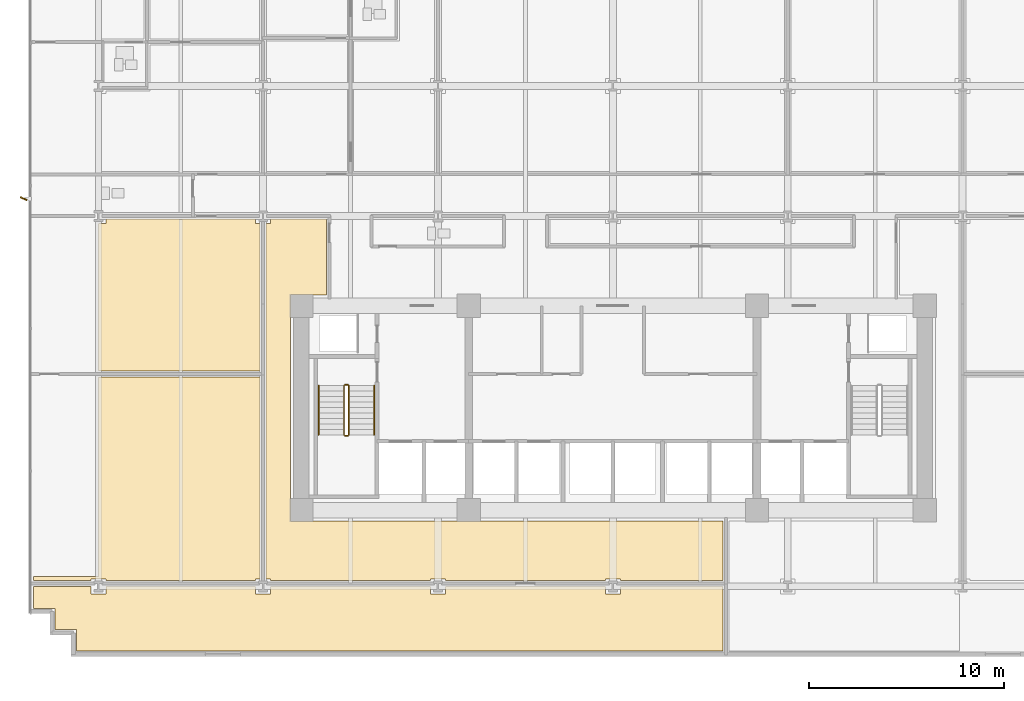
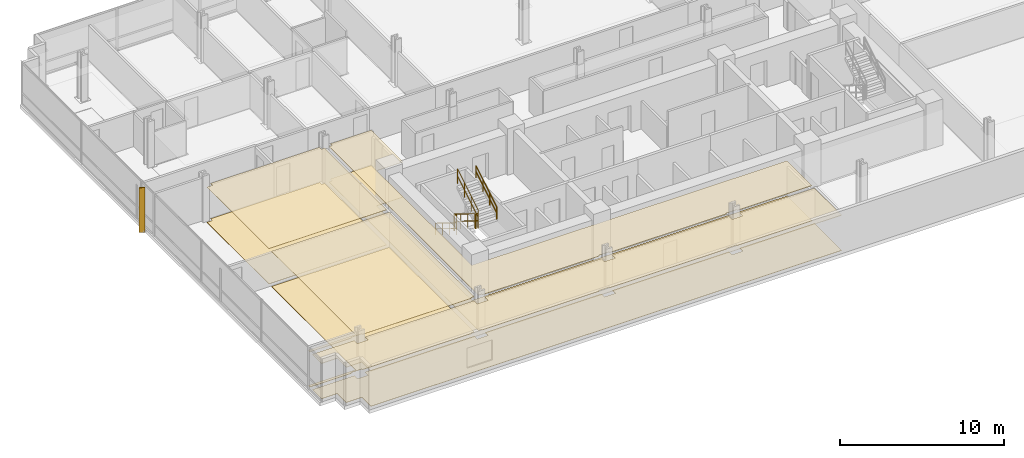
# One storey, part 16 of 21: 8 coverings, 6 railings, 1 shading device.
"""IFC4 building model written with IfcOpenShell, lengths in metres."""

import ifcopenshell
import ifcopenshell.guid

model = None  # the IFC model being written
_history = None  # IfcOwnerHistory: only IFC2X3 demands one
_inside = {}  # id of a spatial element -> (the spatial element, [elements in it])
_under = {}  # id of a project, library or spatial element -> (it, [spatial elements below it])
_declared = {}  # id of a project -> (the project, [libraries it declares])
_typed = {}  # id of a type object -> (the type object, [elements of that type])
_made_of = {}  # id of a material, layer set ... -> (it, [elements and type objects made of it])


def new_model(schema):
    """Start an empty IFC model of exactly this schema.

    Asked for "IFC4X3", IfcOpenShell would pick the latest addendum, in which some entities
    have other attributes; the version numbers below select the first issue.
    IFC2X3 requires an IfcOwnerHistory on every rooted entity: one is made here for all.
    """
    global model, _history
    if schema == "IFC4X3":
        model = ifcopenshell.file(schema_version=(4, 3, 0, 0))
    else:
        model = ifcopenshell.file(schema=schema)
    _inside.clear()
    _under.clear()
    _declared.clear()
    _typed.clear()
    _made_of.clear()
    _history = None
    if model.schema == "IFC2X3":
        org = make("IfcOrganization", Name="unknown")
        user = make(
            "IfcPersonAndOrganization",
            ThePerson=make("IfcPerson", FamilyName="unknown"),
            TheOrganization=org,
        )
        app = make(
            "IfcApplication",
            ApplicationDeveloper=org,
            Version="unknown",
            ApplicationFullName="unknown",
            ApplicationIdentifier="unknown",
        )
        _history = make(
            "IfcOwnerHistory",
            OwningUser=user,
            OwningApplication=app,
            ChangeAction="ADDED",
            CreationDate=0,
        )
    return model


def make(cls, **values):
    """One entity of the class cls with the attributes given. An attribute that is None is left unset."""
    return model.create_entity(
        cls, **{name: value for name, value in values.items() if value is not None}
    )


def rooted(cls, **values):
    """An entity with a GlobalId (a new one), such as an element, a storey or a relation."""
    return make(cls, GlobalId=ifcopenshell.guid.new(), OwnerHistory=_history, **values)


def si_unit(unit_type, name, prefix=None):
    """IfcSIUnit, for example si_unit("LENGTHUNIT", "METRE", prefix="MILLI")."""
    return make("IfcSIUnit", UnitType=unit_type, Prefix=prefix, Name=name)


def assignment(units):
    """IfcUnitAssignment: the units of a project."""
    return None if units is None else make("IfcUnitAssignment", Units=units)


def point(xyz):
    """IfcCartesianPoint."""
    return None if xyz is None else make("IfcCartesianPoint", Coordinates=xyz)


def direction(xyz):
    """IfcDirection."""
    return None if xyz is None else make("IfcDirection", DirectionRatios=xyz)


def frame(location, z_axis=None, x_axis=None):
    """IfcAxis2Placement3D, a coordinate frame: its origin and axes. An axis left out is left unset."""
    return make(
        "IfcAxis2Placement3D",
        Location=point(location),
        Axis=direction(z_axis),
        RefDirection=direction(x_axis),
    )


def frame_2d(location, x_axis=None):
    """IfcAxis2Placement2D, a coordinate frame in the plane: its origin and x axis."""
    return make(
        "IfcAxis2Placement2D", Location=point(location), RefDirection=direction(x_axis)
    )


def origin():
    """The frame at (0, 0, 0) with its axes left unset."""
    return frame((0.0, 0.0, 0.0))


def origin_2d():
    """The frame at (0, 0) in the plane with its x axis left unset."""
    return frame_2d((0.0, 0.0))


def place(relative_to, where):
    """IfcLocalPlacement: puts the frame where relative to a parent placement (None: the world)."""
    return make(
        "IfcLocalPlacement", PlacementRelTo=relative_to, RelativePlacement=where
    )


def context(
    kind, dimensions, precision=None, world=None, true_north=None, identifier=None
):
    """IfcGeometricRepresentationContext, for example the 3D "Model" context."""
    return make(
        "IfcGeometricRepresentationContext",
        ContextIdentifier=identifier,
        ContextType=kind,
        CoordinateSpaceDimension=dimensions,
        Precision=precision,
        WorldCoordinateSystem=world,
        TrueNorth=true_north,
    )


def subcontext(parent, identifier, kind, view, scale=None):
    """IfcGeometricRepresentationSubContext, for example "Body" below "Model"."""
    return make(
        "IfcGeometricRepresentationSubContext",
        ContextIdentifier=identifier,
        ContextType=kind,
        ParentContext=parent,
        TargetScale=scale,
        TargetView=view,
    )


def project(units=None, contexts=None):
    """IfcProject with its units and contexts."""
    return rooted(
        "IfcProject",
        Name="project",
        RepresentationContexts=contexts,
        UnitsInContext=assignment(units),
    )


def spatial(cls, under=None, at=None, **own):
    """A site, building, storey or space (cls), placed at a placement, below another one or the project."""
    s = rooted(cls, ObjectPlacement=at, **own)
    if under is not None:
        _under.setdefault(under.id(), (under, []))[1].append(s)
    return s


def polyline(points):
    """IfcPolyline through the points."""
    return make("IfcPolyline", Points=[point(p) for p in points])


def profile(cls, at=None, kind="AREA", **sizes):
    """A parametric profile (cls). Its sizes go by their IFC names, for example OverallWidth=200.0."""
    return make(cls, ProfileType=kind, Position=at, **sizes)


def rectangle(**sizes):
    """IfcRectangleProfileDef."""
    return profile("IfcRectangleProfileDef", **sizes)


def circle(**sizes):
    """IfcCircleProfileDef."""
    return profile("IfcCircleProfileDef", **sizes)


def outline(outer, holes=None, kind="AREA"):
    """IfcArbitraryClosedProfileDef: a profile drawn as a closed curve; with holes, ...WithVoids."""
    if holes is None:
        return make("IfcArbitraryClosedProfileDef", ProfileType=kind, OuterCurve=outer)
    return make(
        "IfcArbitraryProfileDefWithVoids",
        ProfileType=kind,
        OuterCurve=outer,
        InnerCurves=holes,
    )


def extrude(swept, where, along, depth):
    """IfcExtrudedAreaSolid: the profile swept, set in the frame where, extruded along a direction by depth."""
    return make(
        "IfcExtrudedAreaSolid",
        SweptArea=swept,
        Position=where,
        ExtrudedDirection=direction(along),
        Depth=depth,
    )


def shape(context_of_items, identifier, shape_type, items):
    """IfcShapeRepresentation: the items that make up one representation, for example the "Body"."""
    return make(
        "IfcShapeRepresentation",
        ContextOfItems=context_of_items,
        RepresentationIdentifier=identifier,
        RepresentationType=shape_type,
        Items=items,
    )


def material(Name=None, Category=None):
    """IfcMaterial."""
    return make("IfcMaterial", Name=Name, Category=Category)


def layer(
    of_material, thickness, ventilated=None, Name=None, Category=None, Priority=None
):
    """IfcMaterialLayer: one layer of a wall or slab, of a material (None: an air gap)."""
    return make(
        "IfcMaterialLayer",
        Material=of_material,
        LayerThickness=thickness,
        IsVentilated=ventilated,
        Name=Name,
        Category=Category,
        Priority=Priority,
    )


def layer_set(layers, Name=None):
    """IfcMaterialLayerSet."""
    return make("IfcMaterialLayerSet", MaterialLayers=layers, LayerSetName=Name)


def made_of(thing, what):
    """Note that an element or type object is made of a material, layer set ...; save() writes the relation."""
    if what is not None:
        _made_of.setdefault(what.id(), (what, []))[1].append(thing)
    return thing


def type_object(cls, material=None, **own):
    """A type object (cls), such as IfcWallType, which elements share."""
    return made_of(rooted(cls, **own), material)


def element(
    cls,
    number,
    at=None,
    inside=None,
    cuts=None,
    type_object=None,
    material=None,
    context=None,
    identifier="Body",
    shape_type=None,
    held_by="IfcProductDefinitionShape",
    body=None,
    shapes=None,
    **own,
):
    """One element of the class cls, such as IfcWall. Its Tag is "e" and its number.

    at: its placement. inside: the storey or other place that contains it. cuts: it is an
    opening in that element (IfcRelVoidsElement). A single representation is given by context,
    identifier, shape_type and body (its items); several are given by shapes. held_by: the class
    of the entity that holds the representations. save() writes the other relations.
    """
    e = rooted(cls, Tag="e%d" % number, ObjectPlacement=at, **own)
    if body is not None:
        shapes = [shape(context, identifier, shape_type, body)]
    if shapes is not None:
        e.Representation = make(held_by, Representations=shapes)
    if inside is not None:
        _inside.setdefault(inside.id(), (inside, []))[1].append(e)
    if cuts is not None:
        rooted(
            "IfcRelVoidsElement", RelatingBuildingElement=cuts, RelatedOpeningElement=e
        )
    if type_object is not None:
        _typed.setdefault(type_object.id(), (type_object, []))[1].append(e)
    return made_of(e, material)


def aggregate(whole, parts):
    """IfcRelAggregates: a whole, such as a stair, and the parts it consists of."""
    return rooted("IfcRelAggregates", RelatingObject=whole, RelatedObjects=parts)


def save(model, path):
    """Write the relations noted so far, then the file.

    IfcRelAggregates (storeys below a building ...), IfcRelContainedInSpatialStructure (elements
    in a storey), IfcRelDefinesByType, IfcRelAssociatesMaterial and IfcRelDeclares: one each for
    every whole, place, type object, material and project.
    """
    for whole, parts in _under.values():
        aggregate(whole, parts)
    for where, things in _inside.values():
        rooted(
            "IfcRelContainedInSpatialStructure",
            RelatedElements=things,
            RelatingStructure=where,
        )
    for kind, things in _typed.values():
        rooted("IfcRelDefinesByType", RelatedObjects=things, RelatingType=kind)
    for what, things in _made_of.values():
        rooted("IfcRelAssociatesMaterial", RelatedObjects=things, RelatingMaterial=what)
    for by, libraries in _declared.values():
        rooted("IfcRelDeclares", RelatingContext=by, RelatedDefinitions=libraries)
    model.write(path)


model = new_model("IFC4")

# Units and contexts
model_context = context("Model", 3, precision=1e-05, world=origin(), true_north=direction((0.0, 1.0)))
body_context = subcontext(model_context, "Body", "Model", "MODEL_VIEW")
ifc_project = project(units=[si_unit("LENGTHUNIT", "METRE"), si_unit("AREAUNIT", "SQUARE_METRE"), si_unit("VOLUMEUNIT", "CUBIC_METRE"), si_unit("PLANEANGLEUNIT", "RADIAN"), si_unit("MASSUNIT", "GRAM", prefix="KILO")], contexts=[model_context])

# Site, building, storey
site_placement = place(None, origin())
site = spatial("IfcSite", under=ifc_project, at=site_placement, CompositionType="ELEMENT")
building_placement = place(site_placement, origin())
building = spatial("IfcBuilding", under=site, at=building_placement, Name="Solmavex Isthmus Hotel", CompositionType="ELEMENT")
storey_placement = place(building_placement, frame((0.0, 0.0, 60.89990234375)))
storey = spatial("IfcBuildingStorey", under=building, at=storey_placement, Name="L16", CompositionType="ELEMENT", Elevation=60.89990234375)

# Coverings
ifc_material_1 = material(Name="Gypsum plasterboard lining", Category="gypsum")
ifc_layer_1 = layer(ifc_material_1, 0.030029296875)
ifc_layer_set_1 = layer_set([ifc_layer_1], Name="Gypsum plasterboard lining")
covering_type_1 = type_object("IfcCoveringType", Name="COV-CEIL-GYP", PredefinedType="CEILING", material=ifc_layer_set_1)
covering_1_placement = place(storey_placement, frame((0.0, 0.0, 2.6201171875)))
element("IfcCovering", 1, at=covering_1_placement, inside=storey, type_object=covering_type_1, Name="Suspended Acoustic Ceiling L16-FL10", PredefinedType="CEILING", context=body_context, shape_type="SweptSolid", body=[
    extrude(outline(polyline([(-26.02001953125, 1.945068359375), (-26.02001953125, 1.719970703125), (-26.39990234375, 1.719970703125), (-26.39990234375, -5.844970703125), (-18.10693359375, -5.844970703125), (-18.10693359375, 1.719970703125), (-18.33203125, 1.719970703125), (-18.33203125, 1.945068359375), (-26.02001953125, 1.945068359375)])), origin(), (0.0, 0.0, 1.0), 0.030029296875),
])
covering_2_placement = place(storey_placement, frame((0.0, 0.0, 2.6201171875)))
element("IfcCovering", 2, at=covering_2_placement, inside=storey, type_object=covering_type_1, Name="Suspended Acoustic Ceiling L16-FL12", PredefinedType="CEILING", context=body_context, shape_type="SweptSolid", body=[
    extrude(outline(polyline([(-17.797119140625, -16.52001953125), (-17.572021484375, -16.52001953125), (-17.572021484375, -16.594970703125), (-9.35595703125, -16.594970703125), (-9.35595703125, -16.52001953125), (-8.595947265625, -16.52001953125), (-8.595947265625, -16.594970703125), (-0.3798828125, -16.594970703125), (-0.3798828125, -16.52001953125), (0.3798828125, -16.52001953125), (0.3798828125, -16.594970703125), (5.64501953125, -16.594970703125), (5.64501953125, -13.554931640625), (-16.554931640625, -13.554931640625), (-16.554931640625, -1.945068359375), (-14.698974609375, -1.945068359375), (-14.698974609375, 1.945068359375), (-17.572021484375, 1.945068359375), (-17.572021484375, 1.719970703125), (-17.797119140625, 1.719970703125), (-17.797119140625, -16.52001953125)])), origin(), (0.0, 0.0, 1.0), 0.030029296875),
])
covering_3_placement = place(storey_placement, frame((0.0, 0.0, 2.6201171875)))
element("IfcCovering", 3, at=covering_3_placement, inside=storey, type_object=covering_type_1, Name="Suspended Acoustic Ceiling L16-FL14", PredefinedType="CEILING", context=body_context, shape_type="SweptSolid", body=[
    extrude(outline(polyline([(-26.02001953125, -16.905029296875), (-26.02001953125, -17.280029296875), (-26.780029296875, -17.280029296875), (-26.780029296875, -16.905029296875), (-29.72509765625, -16.905029296875), (-29.72509765625, -18.02490234375), (-28.625, -18.02490234375), (-28.625, -19.125), (-27.52490234375, -19.125), (-27.52490234375, -20.22509765625), (5.64501953125, -20.22509765625), (5.64501953125, -16.905029296875), (0.3798828125, -16.905029296875), (0.3798828125, -17.280029296875), (-0.3798828125, -17.280029296875), (-0.3798828125, -16.905029296875), (-8.595947265625, -16.905029296875), (-8.595947265625, -17.280029296875), (-9.35595703125, -17.280029296875), (-9.35595703125, -16.905029296875), (-17.572021484375, -16.905029296875), (-17.572021484375, -17.280029296875), (-18.33203125, -17.280029296875), (-18.33203125, -16.905029296875), (-26.02001953125, -16.905029296875)])), origin(), (0.0, 0.0, 1.0), 0.030029296875),
])
covering_4_placement = place(storey_placement, frame((0.0, 0.0, 2.6201171875)))
element("IfcCovering", 4, at=covering_4_placement, inside=storey, type_object=covering_type_1, Name="Suspended Acoustic Ceiling L16-FL15", PredefinedType="CEILING", context=body_context, shape_type="SweptSolid", body=[
    extrude(outline(polyline([(-26.780029296875, -16.594970703125), (-26.780029296875, -16.52001953125), (-26.02001953125, -16.52001953125), (-26.02001953125, -16.594970703125), (-18.33203125, -16.594970703125), (-18.33203125, -16.52001953125), (-18.10693359375, -16.52001953125), (-18.10693359375, -6.155029296875), (-26.39990234375, -6.155029296875), (-26.39990234375, -16.39990234375), (-29.72509765625, -16.39990234375), (-29.72509765625, -16.594970703125), (-26.780029296875, -16.594970703125)])), origin(), (0.0, 0.0, 1.0), 0.030029296875),
])
ifc_material_2 = material(Name="Travertine natural stone", Category="masonry")
ifc_layer_2 = layer(ifc_material_2, 0.02490234375)
ifc_layer_set_2 = layer_set([ifc_layer_2], Name="Travertine natural stone")
covering_type_2 = type_object("IfcCoveringType", Name="COV-FLOR-STN", PredefinedType="FLOORING", material=ifc_layer_set_2)
covering_5_placement = place(storey_placement, origin())
element("IfcCovering", 5, at=covering_5_placement, inside=storey, type_object=covering_type_2, Name="Stone and Timber Floor Finish L16-FL10", PredefinedType="FLOORING", context=body_context, shape_type="SweptSolid", body=[
    extrude(outline(polyline([(-26.02001953125, 1.945068359375), (-26.02001953125, 1.719970703125), (-26.39990234375, 1.719970703125), (-26.39990234375, -5.844970703125), (-18.10693359375, -5.844970703125), (-18.10693359375, 1.719970703125), (-18.33203125, 1.719970703125), (-18.33203125, 1.945068359375), (-26.02001953125, 1.945068359375)])), origin(), (0.0, 0.0, 1.0), 0.025146484375),
])
covering_6_placement = place(storey_placement, origin())
element("IfcCovering", 6, at=covering_6_placement, inside=storey, type_object=covering_type_2, Name="Stone and Timber Floor Finish L16-FL12", PredefinedType="FLOORING", context=body_context, shape_type="SweptSolid", body=[
    extrude(outline(polyline([(-17.797119140625, -16.52001953125), (-17.572021484375, -16.52001953125), (-17.572021484375, -16.594970703125), (-9.35595703125, -16.594970703125), (-9.35595703125, -16.52001953125), (-8.595947265625, -16.52001953125), (-8.595947265625, -16.594970703125), (-0.3798828125, -16.594970703125), (-0.3798828125, -16.52001953125), (0.3798828125, -16.52001953125), (0.3798828125, -16.594970703125), (5.64501953125, -16.594970703125), (5.64501953125, -13.554931640625), (-16.554931640625, -13.554931640625), (-16.554931640625, -1.945068359375), (-14.698974609375, -1.945068359375), (-14.698974609375, 1.945068359375), (-17.572021484375, 1.945068359375), (-17.572021484375, 1.719970703125), (-17.797119140625, 1.719970703125), (-17.797119140625, -16.52001953125)])), origin(), (0.0, 0.0, 1.0), 0.025146484375),
])
covering_7_placement = place(storey_placement, origin())
element("IfcCovering", 7, at=covering_7_placement, inside=storey, type_object=covering_type_2, Name="Stone and Timber Floor Finish L16-FL14", PredefinedType="FLOORING", context=body_context, shape_type="SweptSolid", body=[
    extrude(outline(polyline([(-26.02001953125, -16.905029296875), (-26.02001953125, -17.280029296875), (-26.780029296875, -17.280029296875), (-26.780029296875, -16.905029296875), (-29.72509765625, -16.905029296875), (-29.72509765625, -18.02490234375), (-28.625, -18.02490234375), (-28.625, -19.125), (-27.52490234375, -19.125), (-27.52490234375, -20.22509765625), (5.64501953125, -20.22509765625), (5.64501953125, -16.905029296875), (0.3798828125, -16.905029296875), (0.3798828125, -17.280029296875), (-0.3798828125, -17.280029296875), (-0.3798828125, -16.905029296875), (-8.595947265625, -16.905029296875), (-8.595947265625, -17.280029296875), (-9.35595703125, -17.280029296875), (-9.35595703125, -16.905029296875), (-17.572021484375, -16.905029296875), (-17.572021484375, -17.280029296875), (-18.33203125, -17.280029296875), (-18.33203125, -16.905029296875), (-26.02001953125, -16.905029296875)])), origin(), (0.0, 0.0, 1.0), 0.025146484375),
])
covering_8_placement = place(storey_placement, origin())
element("IfcCovering", 8, at=covering_8_placement, inside=storey, type_object=covering_type_2, Name="Stone and Timber Floor Finish L16-FL15", PredefinedType="FLOORING", context=body_context, shape_type="SweptSolid", body=[
    extrude(outline(polyline([(-26.780029296875, -16.594970703125), (-26.780029296875, -16.52001953125), (-26.02001953125, -16.52001953125), (-26.02001953125, -16.594970703125), (-18.33203125, -16.594970703125), (-18.33203125, -16.52001953125), (-18.10693359375, -16.52001953125), (-18.10693359375, -6.155029296875), (-26.39990234375, -6.155029296875), (-26.39990234375, -16.39990234375), (-29.72509765625, -16.39990234375), (-29.72509765625, -16.594970703125), (-26.780029296875, -16.594970703125)])), origin(), (0.0, 0.0, 1.0), 0.025146484375),
])

# Railings
ifc_material_3 = material(Name="Stainless steel 316", Category="steel")
ifc_layer_3 = layer(ifc_material_3, 0.06005859375)
ifc_layer_set_3 = layer_set([ifc_layer_3], Name="Stainless steel 316")
railing_type_1 = type_object("IfcRailingType", Name="RAIL-STAIR-GD", PredefinedType="GUARDRAIL", material=ifc_layer_set_3)
railing_1_placement = place(storey_placement, frame((-13.800048828125, -6.60009765625, 0.172607421875)))
element("IfcRailing", 9, at=railing_1_placement, inside=storey, type_object=railing_type_1, Name="L16 ST-1 stair guard 1", PredefinedType="GUARDRAIL", context=body_context, shape_type="SweptSolid", body=[
    extrude(circle(Radius=0.02392578125, at=origin_2d()), frame((0.0, 0.0, 1.09619140625), z_axis=(0.0, -0.851400495292, 0.524516154772), x_axis=(1.0, 0.0, 0.0)), (0.0, 0.0, 1.0), 2.9599609375),
    extrude(circle(Radius=0.02392578125, at=origin_2d()), frame((0.0, 0.0, 0.56005859375), z_axis=(0.0, -0.851400495292, 0.524516154772), x_axis=(1.0, 0.0, 0.0)), (0.0, 0.0, 1.0), 2.9599609375),
    extrude(circle(Radius=0.02099609375, at=origin_2d()), origin(), (0.0, 0.0, 1.0), 1.072021484375),
    extrude(circle(Radius=0.02099609375, at=origin_2d()), frame((0.0, -0.840087890625, 0.517578125)), (0.0, 0.0, 1.0), 1.072021484375),
    extrude(circle(Radius=0.02099609375, at=origin_2d()), frame((0.0, -1.679931640625, 1.034912109375)), (0.0, 0.0, 1.0), 1.072021484375),
    extrude(circle(Radius=0.02099609375, at=origin_2d()), frame((0.0, -2.52001953125, 1.552490234375)), (0.0, 0.0, 1.0), 1.072021484375),
])
railing_2_placement = place(storey_placement, frame((-13.75, -9.169921875, 1.72509765625)))
element("IfcRailing", 10, at=railing_2_placement, inside=storey, type_object=railing_type_1, Name="L16 ST-1 stair guard 2", PredefinedType="GUARDRAIL", context=body_context, shape_type="SweptSolid", body=[
    extrude(circle(Radius=0.02392578125, at=origin_2d()), frame((0.0, 0.0, 1.09619140625), z_axis=(1.0, 0.0, 0.0), x_axis=(0.0, 1.0, 0.0)), (0.0, 0.0, 1.0), 0.14990234375),
    extrude(circle(Radius=0.02392578125, at=origin_2d()), frame((0.0, 0.0, 0.56005859375), z_axis=(1.0, 0.0, 0.0), x_axis=(0.0, 1.0, 0.0)), (0.0, 0.0, 1.0), 0.14990234375),
    extrude(circle(Radius=0.02099609375, at=origin_2d()), origin(), (0.0, 0.0, 1.0), 1.072021484375),
    extrude(circle(Radius=0.02099609375, at=origin_2d()), frame((0.14990234375, 0.0, 0.0)), (0.0, 0.0, 1.0), 1.072021484375),
])
railing_3_placement = place(storey_placement, frame((-13.550048828125, -9.1201171875, 1.897705078125)))
element("IfcRailing", 11, at=railing_3_placement, inside=storey, type_object=railing_type_1, Name="L16 ST-1 stair guard 3", PredefinedType="GUARDRAIL", context=body_context, shape_type="SweptSolid", body=[
    extrude(circle(Radius=0.02392578125, at=origin_2d()), frame((0.0, 0.0, 1.09619140625), z_axis=(0.0, 0.851400495292, 0.524516154772), x_axis=(-1.0, 0.0, 0.0)), (0.0, 0.0, 1.0), 2.9599609375),
    extrude(circle(Radius=0.02392578125, at=origin_2d()), frame((0.0, 0.0, 0.56005859375), z_axis=(0.0, 0.851400495292, 0.524516154772), x_axis=(-1.0, 0.0, 0.0)), (0.0, 0.0, 1.0), 2.9599609375),
    extrude(circle(Radius=0.02099609375, at=origin_2d()), origin(), (0.0, 0.0, 1.0), 1.072021484375),
    extrude(circle(Radius=0.02099609375, at=origin_2d()), frame((0.0, 0.840087890625, 0.517578125)), (0.0, 0.0, 1.0), 1.072021484375),
    extrude(circle(Radius=0.02099609375, at=origin_2d()), frame((0.0, 1.679931640625, 1.034912109375)), (0.0, 0.0, 1.0), 1.072021484375),
    extrude(circle(Radius=0.02099609375, at=origin_2d()), frame((0.0, 2.52001953125, 1.552490234375)), (0.0, 0.0, 1.0), 1.072021484375),
])
railing_4_placement = place(storey_placement, frame((-13.75, -6.550048828125, 0.0)))
element("IfcRailing", 12, at=railing_4_placement, inside=storey, type_object=railing_type_1, Name="L16 ST-1 stair guard 4", PredefinedType="GUARDRAIL", context=body_context, shape_type="SweptSolid", body=[
    extrude(circle(Radius=0.02392578125, at=origin_2d()), frame((0.0, 0.0, 1.09619140625), z_axis=(1.0, 0.0, 0.0), x_axis=(0.0, 1.0, 0.0)), (0.0, 0.0, 1.0), 0.14990234375),
    extrude(circle(Radius=0.02392578125, at=origin_2d()), frame((0.0, 0.0, 0.56005859375), z_axis=(1.0, 0.0, 0.0), x_axis=(0.0, 1.0, 0.0)), (0.0, 0.0, 1.0), 0.14990234375),
    extrude(circle(Radius=0.02099609375, at=origin_2d()), origin(), (0.0, 0.0, 1.0), 1.072021484375),
    extrude(circle(Radius=0.02099609375, at=origin_2d()), frame((0.14990234375, 0.0, 0.0)), (0.0, 0.0, 1.0), 1.072021484375),
])
ifc_layer_4 = layer(ifc_material_3, 0.050048828125)
ifc_layer_set_4 = layer_set([ifc_layer_4], Name="Stainless steel 316")
railing_type_2 = type_object("IfcRailingType", Name="RAIL-STAIR-HR", PredefinedType="HANDRAIL", material=ifc_layer_set_4)
railing_5_placement = place(storey_placement, frame((-15.10009765625, -6.60009765625, 0.172607421875)))
element("IfcRailing", 13, at=railing_5_placement, inside=storey, type_object=railing_type_2, Name="L16 ST-1 stair handrail 1", PredefinedType="HANDRAIL", context=body_context, shape_type="SweptSolid", body=[
    extrude(circle(Radius=0.02392578125, at=origin_2d()), frame((0.0, 0.0, 0.8759765625), z_axis=(0.0, -0.851400495292, 0.524516154772), x_axis=(1.0, 0.0, 0.0)), (0.0, 0.0, 1.0), 2.9599609375),
    extrude(circle(Radius=0.02392578125, at=origin_2d()), frame((0.0, 0.0, 0.449951171875), z_axis=(0.0, -0.851400495292, 0.524516154772), x_axis=(1.0, 0.0, 0.0)), (0.0, 0.0, 1.0), 2.9599609375),
    extrude(circle(Radius=0.02099609375, at=origin_2d()), origin(), (0.0, 0.0, 1.0), 0.851806640625),
    extrude(circle(Radius=0.02099609375, at=origin_2d()), frame((0.0, -0.840087890625, 0.517578125)), (0.0, 0.0, 1.0), 0.851806640625),
    extrude(circle(Radius=0.02099609375, at=origin_2d()), frame((0.0, -1.679931640625, 1.034912109375)), (0.0, 0.0, 1.0), 0.851806640625),
    extrude(circle(Radius=0.02099609375, at=origin_2d()), frame((0.0, -2.52001953125, 1.552490234375)), (0.0, 0.0, 1.0), 0.851806640625),
])
railing_6_placement = place(storey_placement, frame((-12.25, -9.1201171875, 1.897705078125)))
element("IfcRailing", 14, at=railing_6_placement, inside=storey, type_object=railing_type_2, Name="L16 ST-1 stair handrail 2", PredefinedType="HANDRAIL", context=body_context, shape_type="SweptSolid", body=[
    extrude(circle(Radius=0.02392578125, at=origin_2d()), frame((0.0, 0.0, 0.8759765625), z_axis=(0.0, 0.851400495292, 0.524516154772), x_axis=(-1.0, 0.0, 0.0)), (0.0, 0.0, 1.0), 2.9599609375),
    extrude(circle(Radius=0.02392578125, at=origin_2d()), frame((0.0, 0.0, 0.449951171875), z_axis=(0.0, 0.851400495292, 0.524516154772), x_axis=(-1.0, 0.0, 0.0)), (0.0, 0.0, 1.0), 2.9599609375),
    extrude(circle(Radius=0.02099609375, at=origin_2d()), origin(), (0.0, 0.0, 1.0), 0.851806640625),
    extrude(circle(Radius=0.02099609375, at=origin_2d()), frame((0.0, 0.840087890625, 0.517578125)), (0.0, 0.0, 1.0), 0.851806640625),
    extrude(circle(Radius=0.02099609375, at=origin_2d()), frame((0.0, 1.679931640625, 1.034912109375)), (0.0, 0.0, 1.0), 0.851806640625),
    extrude(circle(Radius=0.02099609375, at=origin_2d()), frame((0.0, 2.52001953125, 1.552490234375)), (0.0, 0.0, 1.0), 0.851806640625),
])

# Shading device
ifc_material_4 = material(Name="Aluminium alloy 6063-T6", Category="aluminium")
shading_device_type = type_object("IfcShadingDeviceType", Name="SHD-FIN-CHAMP", PredefinedType="USERDEFINED", material=ifc_material_4)
shading_device_placement = place(storey_placement, frame((-30.239990234375, 3.0, -0.139892578125), z_axis=(0.0, 0.0, 1.0), x_axis=(-0.913545457643, 0.406736643076, 0.0)))
element("IfcShadingDevice", 15, at=shading_device_placement, inside=storey, type_object=shading_device_type, Name="Anodised Aluminium Solar Fin L16-W1", ObjectType="SOLAR_FIN", PredefinedType="USERDEFINED", context=body_context, shape_type="SweptSolid", body=[
    extrude(rectangle(XDim=0.3798828125, YDim=0.070068359375, at=origin_2d()), origin(), (0.0, 0.0, 1.0), 3.330078125),
])

save(model, "model.ifc")
